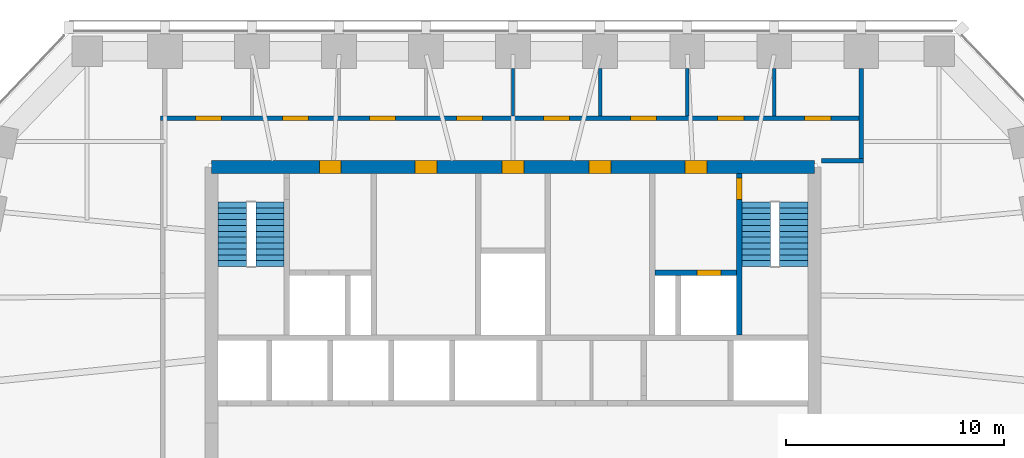
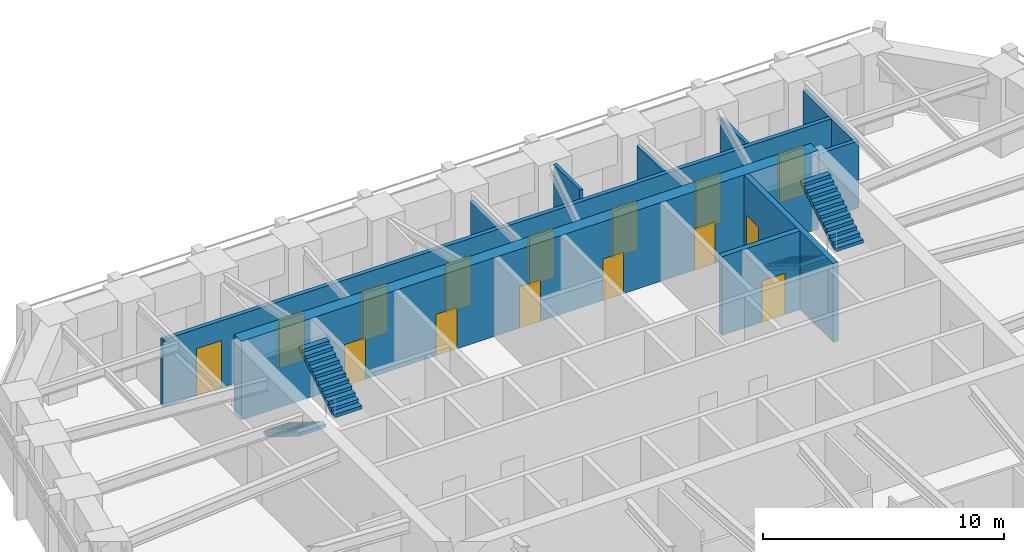
# One storey, part 7 of 9: 15 doors, 10 walls, 4 stair flights, 15 openings, 2 elements without a shape of their own.
"""IFC4 building model written with IfcOpenShell, lengths in metres."""

import ifcopenshell
import ifcopenshell.guid

model = None  # the IFC model being written
_history = None  # IfcOwnerHistory: only IFC2X3 demands one
_inside = {}  # id of a spatial element -> (the spatial element, [elements in it])
_under = {}  # id of a project, library or spatial element -> (it, [spatial elements below it])
_declared = {}  # id of a project -> (the project, [libraries it declares])
_typed = {}  # id of a type object -> (the type object, [elements of that type])
_made_of = {}  # id of a material, layer set ... -> (it, [elements and type objects made of it])


def new_model(schema):
    """Start an empty IFC model of exactly this schema.

    Asked for "IFC4X3", IfcOpenShell would pick the latest addendum, in which some entities
    have other attributes; the version numbers below select the first issue.
    IFC2X3 requires an IfcOwnerHistory on every rooted entity: one is made here for all.
    """
    global model, _history
    if schema == "IFC4X3":
        model = ifcopenshell.file(schema_version=(4, 3, 0, 0))
    else:
        model = ifcopenshell.file(schema=schema)
    _inside.clear()
    _under.clear()
    _declared.clear()
    _typed.clear()
    _made_of.clear()
    _history = None
    if model.schema == "IFC2X3":
        org = make("IfcOrganization", Name="unknown")
        user = make(
            "IfcPersonAndOrganization",
            ThePerson=make("IfcPerson", FamilyName="unknown"),
            TheOrganization=org,
        )
        app = make(
            "IfcApplication",
            ApplicationDeveloper=org,
            Version="unknown",
            ApplicationFullName="unknown",
            ApplicationIdentifier="unknown",
        )
        _history = make(
            "IfcOwnerHistory",
            OwningUser=user,
            OwningApplication=app,
            ChangeAction="ADDED",
            CreationDate=0,
        )
    return model


def make(cls, **values):
    """One entity of the class cls with the attributes given. An attribute that is None is left unset."""
    return model.create_entity(
        cls, **{name: value for name, value in values.items() if value is not None}
    )


def rooted(cls, **values):
    """An entity with a GlobalId (a new one), such as an element, a storey or a relation."""
    return make(cls, GlobalId=ifcopenshell.guid.new(), OwnerHistory=_history, **values)


def si_unit(unit_type, name, prefix=None):
    """IfcSIUnit, for example si_unit("LENGTHUNIT", "METRE", prefix="MILLI")."""
    return make("IfcSIUnit", UnitType=unit_type, Prefix=prefix, Name=name)


def assignment(units):
    """IfcUnitAssignment: the units of a project."""
    return None if units is None else make("IfcUnitAssignment", Units=units)


def point(xyz):
    """IfcCartesianPoint."""
    return None if xyz is None else make("IfcCartesianPoint", Coordinates=xyz)


def direction(xyz):
    """IfcDirection."""
    return None if xyz is None else make("IfcDirection", DirectionRatios=xyz)


def frame(location, z_axis=None, x_axis=None):
    """IfcAxis2Placement3D, a coordinate frame: its origin and axes. An axis left out is left unset."""
    return make(
        "IfcAxis2Placement3D",
        Location=point(location),
        Axis=direction(z_axis),
        RefDirection=direction(x_axis),
    )


def frame_2d(location, x_axis=None):
    """IfcAxis2Placement2D, a coordinate frame in the plane: its origin and x axis."""
    return make(
        "IfcAxis2Placement2D", Location=point(location), RefDirection=direction(x_axis)
    )


def origin():
    """The frame at (0, 0, 0) with its axes left unset."""
    return frame((0.0, 0.0, 0.0))


def place(relative_to, where):
    """IfcLocalPlacement: puts the frame where relative to a parent placement (None: the world)."""
    return make(
        "IfcLocalPlacement", PlacementRelTo=relative_to, RelativePlacement=where
    )


def context(
    kind, dimensions, precision=None, world=None, true_north=None, identifier=None
):
    """IfcGeometricRepresentationContext, for example the 3D "Model" context."""
    return make(
        "IfcGeometricRepresentationContext",
        ContextIdentifier=identifier,
        ContextType=kind,
        CoordinateSpaceDimension=dimensions,
        Precision=precision,
        WorldCoordinateSystem=world,
        TrueNorth=true_north,
    )


def subcontext(parent, identifier, kind, view, scale=None):
    """IfcGeometricRepresentationSubContext, for example "Body" below "Model"."""
    return make(
        "IfcGeometricRepresentationSubContext",
        ContextIdentifier=identifier,
        ContextType=kind,
        ParentContext=parent,
        TargetScale=scale,
        TargetView=view,
    )


def project(units=None, contexts=None):
    """IfcProject with its units and contexts."""
    return rooted(
        "IfcProject",
        Name="project",
        RepresentationContexts=contexts,
        UnitsInContext=assignment(units),
    )


def spatial(cls, under=None, at=None, **own):
    """A site, building, storey or space (cls), placed at a placement, below another one or the project."""
    s = rooted(cls, ObjectPlacement=at, **own)
    if under is not None:
        _under.setdefault(under.id(), (under, []))[1].append(s)
    return s


def polyline(points):
    """IfcPolyline through the points."""
    return make("IfcPolyline", Points=[point(p) for p in points])


def profile(cls, at=None, kind="AREA", **sizes):
    """A parametric profile (cls). Its sizes go by their IFC names, for example OverallWidth=200.0."""
    return make(cls, ProfileType=kind, Position=at, **sizes)


def rectangle(**sizes):
    """IfcRectangleProfileDef."""
    return profile("IfcRectangleProfileDef", **sizes)


def outline(outer, holes=None, kind="AREA"):
    """IfcArbitraryClosedProfileDef: a profile drawn as a closed curve; with holes, ...WithVoids."""
    if holes is None:
        return make("IfcArbitraryClosedProfileDef", ProfileType=kind, OuterCurve=outer)
    return make(
        "IfcArbitraryProfileDefWithVoids",
        ProfileType=kind,
        OuterCurve=outer,
        InnerCurves=holes,
    )


def extrude(swept, where, along, depth):
    """IfcExtrudedAreaSolid: the profile swept, set in the frame where, extruded along a direction by depth."""
    return make(
        "IfcExtrudedAreaSolid",
        SweptArea=swept,
        Position=where,
        ExtrudedDirection=direction(along),
        Depth=depth,
    )


def shape(context_of_items, identifier, shape_type, items):
    """IfcShapeRepresentation: the items that make up one representation, for example the "Body"."""
    return make(
        "IfcShapeRepresentation",
        ContextOfItems=context_of_items,
        RepresentationIdentifier=identifier,
        RepresentationType=shape_type,
        Items=items,
    )


def material(Name=None, Category=None):
    """IfcMaterial."""
    return make("IfcMaterial", Name=Name, Category=Category)


def layer(
    of_material, thickness, ventilated=None, Name=None, Category=None, Priority=None
):
    """IfcMaterialLayer: one layer of a wall or slab, of a material (None: an air gap)."""
    return make(
        "IfcMaterialLayer",
        Material=of_material,
        LayerThickness=thickness,
        IsVentilated=ventilated,
        Name=Name,
        Category=Category,
        Priority=Priority,
    )


def layer_set(layers, Name=None):
    """IfcMaterialLayerSet."""
    return make("IfcMaterialLayerSet", MaterialLayers=layers, LayerSetName=Name)


def made_of(thing, what):
    """Note that an element or type object is made of a material, layer set ...; save() writes the relation."""
    if what is not None:
        _made_of.setdefault(what.id(), (what, []))[1].append(thing)
    return thing


def type_object(cls, material=None, **own):
    """A type object (cls), such as IfcWallType, which elements share."""
    return made_of(rooted(cls, **own), material)


def element(
    cls,
    number,
    at=None,
    inside=None,
    cuts=None,
    type_object=None,
    material=None,
    context=None,
    identifier="Body",
    shape_type=None,
    held_by="IfcProductDefinitionShape",
    body=None,
    shapes=None,
    **own,
):
    """One element of the class cls, such as IfcWall. Its Tag is "e" and its number.

    at: its placement. inside: the storey or other place that contains it. cuts: it is an
    opening in that element (IfcRelVoidsElement). A single representation is given by context,
    identifier, shape_type and body (its items); several are given by shapes. held_by: the class
    of the entity that holds the representations. save() writes the other relations.
    """
    e = rooted(cls, Tag="e%d" % number, ObjectPlacement=at, **own)
    if body is not None:
        shapes = [shape(context, identifier, shape_type, body)]
    if shapes is not None:
        e.Representation = make(held_by, Representations=shapes)
    if inside is not None:
        _inside.setdefault(inside.id(), (inside, []))[1].append(e)
    if cuts is not None:
        rooted(
            "IfcRelVoidsElement", RelatingBuildingElement=cuts, RelatedOpeningElement=e
        )
    if type_object is not None:
        _typed.setdefault(type_object.id(), (type_object, []))[1].append(e)
    return made_of(e, material)


def fill(opening, filler):
    """IfcRelFillsElement: the door or window that sits in an opening."""
    return rooted(
        "IfcRelFillsElement",
        RelatingOpeningElement=opening,
        RelatedBuildingElement=filler,
    )


def aggregate(whole, parts):
    """IfcRelAggregates: a whole, such as a stair, and the parts it consists of."""
    return rooted("IfcRelAggregates", RelatingObject=whole, RelatedObjects=parts)


def save(model, path):
    """Write the relations noted so far, then the file.

    IfcRelAggregates (storeys below a building ...), IfcRelContainedInSpatialStructure (elements
    in a storey), IfcRelDefinesByType, IfcRelAssociatesMaterial and IfcRelDeclares: one each for
    every whole, place, type object, material and project.
    """
    for whole, parts in _under.values():
        aggregate(whole, parts)
    for where, things in _inside.values():
        rooted(
            "IfcRelContainedInSpatialStructure",
            RelatedElements=things,
            RelatingStructure=where,
        )
    for kind, things in _typed.values():
        rooted("IfcRelDefinesByType", RelatedObjects=things, RelatingType=kind)
    for what, things in _made_of.values():
        rooted("IfcRelAssociatesMaterial", RelatedObjects=things, RelatingMaterial=what)
    for by, libraries in _declared.values():
        rooted("IfcRelDeclares", RelatingContext=by, RelatedDefinitions=libraries)
    model.write(path)


model = new_model("IFC4")

# Units and contexts
model_context = context("Model", 3, precision=1e-05, world=origin(), true_north=direction((0.0, 1.0)))
body_context = subcontext(model_context, "Body", "Model", "MODEL_VIEW")
ifc_project = project(units=[si_unit("LENGTHUNIT", "METRE"), si_unit("AREAUNIT", "SQUARE_METRE"), si_unit("VOLUMEUNIT", "CUBIC_METRE"), si_unit("PLANEANGLEUNIT", "RADIAN"), si_unit("MASSUNIT", "GRAM", prefix="KILO")], contexts=[model_context])

# Site, building, storey
site_placement = place(None, origin())
site = spatial("IfcSite", under=ifc_project, at=site_placement, CompositionType="ELEMENT")
building_placement = place(site_placement, origin())
building = spatial("IfcBuilding", under=site, at=building_placement, Name="Isbrekke Arena Tower", CompositionType="ELEMENT")
storey_placement = place(building_placement, frame((0.0, 0.0, 178.0)))
storey = spatial("IfcBuildingStorey", under=building, at=storey_placement, Name="L40", CompositionType="ELEMENT", Elevation=178.0)

# Wall, openings, doors
ifc_material_1 = material(Name="Concrete B55 (C55/67)", Category="concrete")
ifc_layer_1 = layer(ifc_material_1, 0.60009765625)
ifc_layer_set_1 = layer_set([ifc_layer_1], Name="CW4 CORE WALL 600")
wall_type_1 = type_object("IfcWallType", Name="CW4 CORE WALL 600", PredefinedType="SHEAR", material=ifc_layer_set_1)
wall_1_placement = place(storey_placement, frame((13.85009765625, 23.85009765625, 0.0), z_axis=(0.0, 0.0, 1.0), x_axis=(-1.0, 0.0, 0.0)))
wall_1 = element("IfcWall", 1, at=wall_1_placement, inside=storey, type_object=wall_type_1, Name="Core wall N L40", PredefinedType="SHEAR", context=body_context, shape_type="SweptSolid", body=[
    extrude(rectangle(XDim=27.7001953125, YDim=0.60009765625, at=frame_2d((13.85009765625, 0.0))), origin(), (0.0, 0.0, 1.0), 4.0),
])
opening_1_placement = place(wall_1_placement, frame((21.75, 0.0, 0.0)))
opening_1 = element("IfcOpeningElement", 2, at=opening_1_placement, cuts=wall_1, Name="Opening D3", PredefinedType="OPENING", context=body_context, shape_type="SweptSolid", body=[
    extrude(rectangle(XDim=1.0, YDim=2.10009765625, at=frame_2d((0.5, 1.050048828125))), frame((0.0, 0.31494140625, 0.0), z_axis=(0.0, -1.0, 0.0), x_axis=(1.0, 0.0, 0.0)), (0.0, 0.0, 1.0), 0.6298828125),
])
opening_2_placement = place(wall_1_placement, frame((4.949951171875, 0.0, 0.0)))
opening_2 = element("IfcOpeningElement", 3, at=opening_2_placement, cuts=wall_1, Name="Opening D3", PredefinedType="OPENING", context=body_context, shape_type="SweptSolid", body=[
    extrude(rectangle(XDim=1.0, YDim=2.10009765625, at=frame_2d((0.5, 1.050048828125))), frame((0.0, 0.31494140625, 0.0), z_axis=(0.0, -1.0, 0.0), x_axis=(1.0, 0.0, 0.0)), (0.0, 0.0, 1.0), 0.6298828125),
])
opening_3_placement = place(wall_1_placement, frame((17.35009765625, 0.0, 0.0)))
opening_3 = element("IfcOpeningElement", 4, at=opening_3_placement, cuts=wall_1, Name="Opening D4", PredefinedType="OPENING", context=body_context, shape_type="SweptSolid", body=[
    extrude(rectangle(XDim=1.0, YDim=2.10009765625, at=frame_2d((0.5, 1.050048828125))), frame((0.0, 0.31494140625, 0.0), z_axis=(0.0, -1.0, 0.0), x_axis=(1.0, 0.0, 0.0)), (0.0, 0.0, 1.0), 0.6298828125),
])
opening_4_placement = place(wall_1_placement, frame((13.35009765625, 0.0, 0.0)))
opening_4 = element("IfcOpeningElement", 5, at=opening_4_placement, cuts=wall_1, Name="Opening D4", PredefinedType="OPENING", context=body_context, shape_type="SweptSolid", body=[
    extrude(rectangle(XDim=1.0, YDim=2.10009765625, at=frame_2d((0.5, 1.050048828125))), frame((0.0, 0.31494140625, 0.0), z_axis=(0.0, -1.0, 0.0), x_axis=(1.0, 0.0, 0.0)), (0.0, 0.0, 1.0), 0.6298828125),
])
opening_5_placement = place(wall_1_placement, frame((9.35009765625, 0.0, 0.0)))
opening_5 = element("IfcOpeningElement", 6, at=opening_5_placement, cuts=wall_1, Name="Opening D4", PredefinedType="OPENING", context=body_context, shape_type="SweptSolid", body=[
    extrude(rectangle(XDim=1.0, YDim=2.10009765625, at=frame_2d((0.5, 1.050048828125))), frame((0.0, 0.31494140625, 0.0), z_axis=(0.0, -1.0, 0.0), x_axis=(1.0, 0.0, 0.0)), (0.0, 0.0, 1.0), 0.6298828125),
])
ifc_material_2 = material(Name="Steel fire door", Category="steel")
door_type_1 = type_object("IfcDoorType", Name="D3 FIRE LOBBY DOOR 1000 x 2100", OperationType="SINGLE_SWING_RIGHT", PredefinedType="DOOR", material=ifc_material_2)
door_1_placement = place(opening_1_placement, origin())
door_1 = element("IfcDoor", 7, at=door_1_placement, inside=storey, type_object=door_type_1, Name="D3 fire-fighting lobby door L40", OperationType="SINGLE_SWING_RIGHT", OverallHeight=2.10009765625, OverallWidth=1.0, PredefinedType="DOOR", context=body_context, shape_type="SweptSolid", body=[
    extrude(rectangle(XDim=1.0, YDim=2.10009765625, at=frame_2d((0.5, 1.050048828125))), frame((0.0, 0.2998046875, 0.0), z_axis=(0.0, -1.0, 0.0), x_axis=(1.0, 0.0, 0.0)), (0.0, 0.0, 1.0), 0.599609375),
])
fill(opening_1, door_1)
door_2_placement = place(opening_2_placement, origin())
door_2 = element("IfcDoor", 8, at=door_2_placement, inside=storey, type_object=door_type_1, Name="D3 fire-fighting lobby door L40", OperationType="SINGLE_SWING_RIGHT", OverallHeight=2.10009765625, OverallWidth=1.0, PredefinedType="DOOR", context=body_context, shape_type="SweptSolid", body=[
    extrude(rectangle(XDim=1.0, YDim=2.10009765625, at=frame_2d((0.5, 1.050048828125))), frame((0.0, 0.2998046875, 0.0), z_axis=(0.0, -1.0, 0.0), x_axis=(1.0, 0.0, 0.0)), (0.0, 0.0, 1.0), 0.599609375),
])
fill(opening_2, door_2)
ifc_material_3 = material(Name="Timber door", Category="wood")
door_type_2 = type_object("IfcDoorType", Name="D4 WC DOOR 1000 x 2100", OperationType="SINGLE_SWING_LEFT", PredefinedType="DOOR", material=ifc_material_3)
door_3_placement = place(opening_3_placement, origin())
door_3 = element("IfcDoor", 9, at=door_3_placement, inside=storey, type_object=door_type_2, Name="D4 wc female door L40", OperationType="SINGLE_SWING_LEFT", OverallHeight=2.10009765625, OverallWidth=1.0, PredefinedType="DOOR", context=body_context, shape_type="SweptSolid", body=[
    extrude(rectangle(XDim=1.0, YDim=2.10009765625, at=frame_2d((0.5, 1.050048828125))), frame((0.0, 0.2998046875, 0.0), z_axis=(0.0, -1.0, 0.0), x_axis=(1.0, 0.0, 0.0)), (0.0, 0.0, 1.0), 0.599609375),
])
fill(opening_3, door_3)
door_4_placement = place(opening_4_placement, origin())
door_4 = element("IfcDoor", 10, at=door_4_placement, inside=storey, type_object=door_type_2, Name="D4 accessible wc door L40", OperationType="SINGLE_SWING_LEFT", OverallHeight=2.10009765625, OverallWidth=1.0, PredefinedType="DOOR", context=body_context, shape_type="SweptSolid", body=[
    extrude(rectangle(XDim=1.0, YDim=2.10009765625, at=frame_2d((0.5, 1.050048828125))), frame((0.0, 0.2998046875, 0.0), z_axis=(0.0, -1.0, 0.0), x_axis=(1.0, 0.0, 0.0)), (0.0, 0.0, 1.0), 0.599609375),
])
fill(opening_4, door_4)
door_5_placement = place(opening_5_placement, origin())
door_5 = element("IfcDoor", 11, at=door_5_placement, inside=storey, type_object=door_type_2, Name="D4 wc male door L40", OperationType="SINGLE_SWING_LEFT", OverallHeight=2.10009765625, OverallWidth=1.0, PredefinedType="DOOR", context=body_context, shape_type="SweptSolid", body=[
    extrude(rectangle(XDim=1.0, YDim=2.10009765625, at=frame_2d((0.5, 1.050048828125))), frame((0.0, 0.2998046875, 0.0), z_axis=(0.0, -1.0, 0.0), x_axis=(1.0, 0.0, 0.0)), (0.0, 0.0, 1.0), 0.599609375),
])
fill(opening_5, door_5)

# Wall, opening, door
ifc_material_4 = material(Name="Concrete B45 (C45/55)", Category="concrete")
ifc_layer_2 = layer(ifc_material_4, 0.25)
ifc_layer_set_2 = layer_set([ifc_layer_2], Name="CW6 SHAFT WALL 250")
wall_type_2 = type_object("IfcWallType", Name="CW6 SHAFT WALL 250", PredefinedType="SHEAR", material=ifc_layer_set_2)
wall_2_placement = place(storey_placement, frame((10.39990234375, 16.125, 0.0), z_axis=(0.0, 0.0, 1.0), x_axis=(0.0, 1.0, 0.0)))
wall_2 = element("IfcWall", 12, at=wall_2_placement, inside=storey, type_object=wall_type_2, Name="Core wall NV06 L40", PredefinedType="SHEAR", context=body_context, shape_type="SweptSolid", body=[
    extrude(rectangle(XDim=7.425048828125, YDim=0.25, at=frame_2d((3.71240234375, 0.0))), origin(), (0.0, 0.0, 1.0), 4.0),
])
opening_6_placement = place(wall_2_placement, frame((6.22509765625, 0.0, 0.0)))
opening_6 = element("IfcOpeningElement", 13, at=opening_6_placement, cuts=wall_2, Name="Opening D2", PredefinedType="OPENING", context=body_context, shape_type="SweptSolid", body=[
    extrude(rectangle(XDim=1.0, YDim=2.10009765625, at=frame_2d((0.5, 1.050048828125))), frame((0.0, 0.139892578125, 0.0), z_axis=(0.0, -1.0, 0.0), x_axis=(1.0, 0.0, 0.0)), (0.0, 0.0, 1.0), 0.27978515625),
])
ifc_material_5 = material(Name="Steel fire door", Category="steel")
door_type_3 = type_object("IfcDoorType", Name="D2 STAIR DOOR 1000 x 2100", OperationType="SINGLE_SWING_LEFT", PredefinedType="DOOR", material=ifc_material_5)
door_6_placement = place(opening_6_placement, origin())
door_6 = element("IfcDoor", 14, at=door_6_placement, inside=storey, type_object=door_type_3, Name="D2 stair door ST2 L40", OperationType="SINGLE_SWING_LEFT", OverallHeight=2.10009765625, OverallWidth=1.0, PredefinedType="DOOR", context=body_context, shape_type="SweptSolid", body=[
    extrude(rectangle(XDim=1.0, YDim=2.10009765625, at=frame_2d((0.5, 1.050048828125))), frame((0.0, 0.124755859375, 0.0), z_axis=(0.0, -1.0, 0.0), x_axis=(1.0, 0.0, 0.0)), (0.0, 0.0, 1.0), 0.24951171875),
])
fill(opening_6, door_6)

wall_3_placement = place(storey_placement, frame((6.52490234375, 19.0, 0.0), z_axis=(0.0, 0.0, 1.0), x_axis=(1.0, 0.0, 0.0)))
wall_3 = element("IfcWall", 15, at=wall_3_placement, inside=storey, type_object=wall_type_2, Name="Core wall NFE L40", PredefinedType="SHEAR", context=body_context, shape_type="SweptSolid", body=[
    extrude(rectangle(XDim=3.75, YDim=0.25, at=frame_2d((1.875, 0.0))), origin(), (0.0, 0.0, 1.0), 4.0),
])
opening_7_placement = place(wall_3_placement, frame((1.925048828125, 0.0, 0.0)))
opening_7 = element("IfcOpeningElement", 16, at=opening_7_placement, cuts=wall_3, Name="Opening LD2", PredefinedType="OPENING", context=body_context, shape_type="SweptSolid", body=[
    extrude(rectangle(XDim=1.10009765625, YDim=2.10009765625, at=frame_2d((0.550048828125, 1.050048828125))), frame((0.0, 0.139892578125, 0.0), z_axis=(0.0, -1.0, 0.0), x_axis=(1.0, 0.0, 0.0)), (0.0, 0.0, 1.0), 0.27978515625),
])
ifc_material_6 = material(Name="Stainless steel lift landing door", Category="steel")
door_type_4 = type_object("IfcDoorType", Name="LD2 FIRE-FIGHTING LIFT LANDING DOOR 1100 x 2100", OperationType="SLIDING_TO_RIGHT", PredefinedType="DOOR", material=ifc_material_6)
door_7_placement = place(opening_7_placement, origin())
door_7 = element("IfcDoor", 17, at=door_7_placement, inside=storey, type_object=door_type_4, Name="LD2 lift landing door LF L40", OperationType="SLIDING_TO_RIGHT", OverallHeight=2.10009765625, OverallWidth=1.10009765625, PredefinedType="DOOR", context=body_context, shape_type="SweptSolid", body=[
    extrude(rectangle(XDim=1.10009765625, YDim=2.10009765625, at=frame_2d((0.550048828125, 1.050048828125))), frame((0.0, 0.124755859375, 0.0), z_axis=(0.0, -1.0, 0.0), x_axis=(1.0, 0.0, 0.0)), (0.0, 0.0, 1.0), 0.24951171875),
])
fill(opening_7, door_7)

# Walls
ifc_material_7 = material(Name="Gypsum board partition on steel studs", Category="steel")
ifc_layer_3 = layer(ifc_material_7, 0.14990234375)
ifc_layer_set_3 = layer_set([ifc_layer_3], Name="IW1 PARTITION 150")
wall_type_3 = type_object("IfcWallType", Name="IW1 PARTITION 150", PredefinedType="PARTITIONING", material=ifc_layer_set_3)
wall_4_placement = place(storey_placement, frame((0.0, 26.199951171875, 0.0), z_axis=(0.0, 0.0, 1.0), x_axis=(0.0, 1.0, 0.0)))
element("IfcWall", 18, at=wall_4_placement, inside=storey, type_object=wall_type_3, Name="IW1 partition 150 L40", PredefinedType="PARTITIONING", context=body_context, shape_type="SweptSolid", body=[
    extrude(rectangle(XDim=2.175048828125, YDim=0.14990234375, at=frame_2d((1.08740234375, 0.0))), origin(), (0.0, 0.0, 1.0), 3.39990234375),
])
wall_5_placement = place(storey_placement, frame((4.0, 26.199951171875, 0.0), z_axis=(0.0, 0.0, 1.0), x_axis=(0.0, 1.0, 0.0)))
element("IfcWall", 19, at=wall_5_placement, inside=storey, type_object=wall_type_3, Name="IW1 partition 150 L40", PredefinedType="PARTITIONING", context=body_context, shape_type="SweptSolid", body=[
    extrude(rectangle(XDim=2.175048828125, YDim=0.14990234375, at=frame_2d((1.08740234375, 0.0))), origin(), (0.0, 0.0, 1.0), 3.85009765625),
])
for number, where, z_axis, x_axis, name in (
    (20, (8.0, 26.199951171875, 0.0), (0.0, 0.0, 1.0), (0.0, 1.0, 0.0), "IW1 partition 150 L40"),
    (21, (12.0, 26.199951171875, 0.0), (0.0, 0.0, 1.0), (0.0, 1.0, 0.0), "IW1 partition 150 L40"),
):
    element("IfcWall", number, at=place(storey_placement, frame(where, z_axis=z_axis, x_axis=x_axis)), inside=storey, type_object=wall_type_3, Name=name, PredefinedType="PARTITIONING", context=body_context, shape_type="SweptSolid", body=[
        extrude(rectangle(XDim=2.175048828125, YDim=0.14990234375, at=frame_2d((1.08740234375, 0.0))), origin(), (0.0, 0.0, 1.0), 3.39990234375),
    ])
ifc_material_8 = material(Name="Gypsum board fire-cell wall on steel studs, two layers each side", Category="steel")
ifc_layer_4 = layer(ifc_material_8, 0.199951171875)
ifc_layer_set_4 = layer_set([ifc_layer_4], Name="IW3 FIRE-CELL WALL 200")
wall_type_4 = type_object("IfcWallType", Name="IW3 FIRE-CELL WALL 200", PredefinedType="PARTITIONING", material=ifc_layer_set_4)
wall_6_placement = place(storey_placement, frame((14.179931640625, 24.14990234375, 0.0), z_axis=(0.0, 0.0, 1.0), x_axis=(1.0, 0.0, 0.0)))
element("IfcWall", 22, at=wall_6_placement, inside=storey, type_object=wall_type_4, Name="IW3 fire-cell wall 200 L40", PredefinedType="PARTITIONING", context=body_context, shape_type="SweptSolid", body=[
    extrude(rectangle(XDim=1.920166015625, YDim=0.199951171875, at=frame_2d((0.9599609375, 0.0))), origin(), (0.0, 0.0, 1.0), 3.39990234375),
])

# Wall, openings, doors
wall_7_placement = place(storey_placement, frame((-16.199951171875, 26.10009765625, 0.0), z_axis=(0.0, 0.0, 1.0), x_axis=(1.0, 0.0, 0.0)))
wall_7 = element("IfcWall", 23, at=wall_7_placement, inside=storey, type_object=wall_type_4, Name="IW3 fire-cell wall 200 L40", PredefinedType="PARTITIONING", context=body_context, shape_type="SweptSolid", body=[
    extrude(rectangle(XDim=32.099853515625, YDim=0.199951171875, at=frame_2d((16.0498046875, 0.0))), origin(), (0.0, 0.0, 1.0), 3.39990234375),
])
opening_8_placement = place(wall_7_placement, frame((1.60009765625, 0.0, 0.0)))
opening_8 = element("IfcOpeningElement", 24, at=opening_8_placement, cuts=wall_7, Name="Opening D12", PredefinedType="OPENING", context=body_context, shape_type="SweptSolid", body=[
    extrude(rectangle(XDim=1.199951171875, YDim=2.39990234375, at=frame_2d((0.60009765625, 1.199951171875))), frame((0.0, 0.11474609375, 0.0), z_axis=(0.0, -1.0, 0.0), x_axis=(1.0, 0.0, 0.0)), (0.0, 0.0, 1.0), 0.229736328125),
])
opening_9_placement = place(wall_7_placement, frame((5.60009765625, 0.0, 0.0)))
opening_9 = element("IfcOpeningElement", 25, at=opening_9_placement, cuts=wall_7, Name="Opening D12", PredefinedType="OPENING", context=body_context, shape_type="SweptSolid", body=[
    extrude(rectangle(XDim=1.199951171875, YDim=2.39990234375, at=frame_2d((0.60009765625, 1.199951171875))), frame((0.0, 0.11474609375, 0.0), z_axis=(0.0, -1.0, 0.0), x_axis=(1.0, 0.0, 0.0)), (0.0, 0.0, 1.0), 0.229736328125),
])
opening_10_placement = place(wall_7_placement, frame((9.60009765625, 0.0, 0.0)))
opening_10 = element("IfcOpeningElement", 26, at=opening_10_placement, cuts=wall_7, Name="Opening D12", PredefinedType="OPENING", context=body_context, shape_type="SweptSolid", body=[
    extrude(rectangle(XDim=1.199951171875, YDim=2.39990234375, at=frame_2d((0.60009765625, 1.199951171875))), frame((0.0, 0.11474609375, 0.0), z_axis=(0.0, -1.0, 0.0), x_axis=(1.0, 0.0, 0.0)), (0.0, 0.0, 1.0), 0.229736328125),
])
opening_11_placement = place(wall_7_placement, frame((13.60009765625, 0.0, 0.0)))
opening_11 = element("IfcOpeningElement", 27, at=opening_11_placement, cuts=wall_7, Name="Opening D12", PredefinedType="OPENING", context=body_context, shape_type="SweptSolid", body=[
    extrude(rectangle(XDim=1.199951171875, YDim=2.39990234375, at=frame_2d((0.60009765625, 1.199951171875))), frame((0.0, 0.11474609375, 0.0), z_axis=(0.0, -1.0, 0.0), x_axis=(1.0, 0.0, 0.0)), (0.0, 0.0, 1.0), 0.229736328125),
])
opening_12_placement = place(wall_7_placement, frame((17.60009765625, 0.0, 0.0)))
opening_12 = element("IfcOpeningElement", 28, at=opening_12_placement, cuts=wall_7, Name="Opening D12", PredefinedType="OPENING", context=body_context, shape_type="SweptSolid", body=[
    extrude(rectangle(XDim=1.199951171875, YDim=2.39990234375, at=frame_2d((0.60009765625, 1.199951171875))), frame((0.0, 0.11474609375, 0.0), z_axis=(0.0, -1.0, 0.0), x_axis=(1.0, 0.0, 0.0)), (0.0, 0.0, 1.0), 0.229736328125),
])
opening_13_placement = place(wall_7_placement, frame((21.60009765625, 0.0, 0.0)))
opening_13 = element("IfcOpeningElement", 29, at=opening_13_placement, cuts=wall_7, Name="Opening D12", PredefinedType="OPENING", context=body_context, shape_type="SweptSolid", body=[
    extrude(rectangle(XDim=1.199951171875, YDim=2.39990234375, at=frame_2d((0.60009765625, 1.199951171875))), frame((0.0, 0.11474609375, 0.0), z_axis=(0.0, -1.0, 0.0), x_axis=(1.0, 0.0, 0.0)), (0.0, 0.0, 1.0), 0.229736328125),
])
opening_14_placement = place(wall_7_placement, frame((25.60009765625, 0.0, 0.0)))
opening_14 = element("IfcOpeningElement", 30, at=opening_14_placement, cuts=wall_7, Name="Opening D12", PredefinedType="OPENING", context=body_context, shape_type="SweptSolid", body=[
    extrude(rectangle(XDim=1.199951171875, YDim=2.39990234375, at=frame_2d((0.60009765625, 1.199951171875))), frame((0.0, 0.11474609375, 0.0), z_axis=(0.0, -1.0, 0.0), x_axis=(1.0, 0.0, 0.0)), (0.0, 0.0, 1.0), 0.229736328125),
])
opening_15_placement = place(wall_7_placement, frame((29.60009765625, 0.0, 0.0)))
opening_15 = element("IfcOpeningElement", 31, at=opening_15_placement, cuts=wall_7, Name="Opening D12", PredefinedType="OPENING", context=body_context, shape_type="SweptSolid", body=[
    extrude(rectangle(XDim=1.199951171875, YDim=2.39990234375, at=frame_2d((0.60009765625, 1.199951171875))), frame((0.0, 0.11474609375, 0.0), z_axis=(0.0, -1.0, 0.0), x_axis=(1.0, 0.0, 0.0)), (0.0, 0.0, 1.0), 0.229736328125),
])
ifc_material_9 = material(Name="Timber fire door with vision panel", Category="wood")
door_type_5 = type_object("IfcDoorType", Name="D12 SUITE ENTRANCE DOOR 1200 x 2400", OperationType="SINGLE_SWING_LEFT", PredefinedType="DOOR", material=ifc_material_9)
door_8_placement = place(opening_8_placement, origin())
door_8 = element("IfcDoor", 32, at=door_8_placement, inside=storey, type_object=door_type_5, Name="D12 office door L40", OperationType="SINGLE_SWING_LEFT", OverallHeight=2.39990234375, OverallWidth=1.199951171875, PredefinedType="DOOR", context=body_context, shape_type="SweptSolid", body=[
    extrude(rectangle(XDim=1.199951171875, YDim=2.39990234375, at=frame_2d((0.60009765625, 1.199951171875))), frame((0.0, 0.099609375, 0.0), z_axis=(0.0, -1.0, 0.0), x_axis=(1.0, 0.0, 0.0)), (0.0, 0.0, 1.0), 0.199462890625),
])
fill(opening_8, door_8)
door_9_placement = place(opening_9_placement, origin())
door_9 = element("IfcDoor", 33, at=door_9_placement, inside=storey, type_object=door_type_5, Name="D12 office door L40", OperationType="SINGLE_SWING_LEFT", OverallHeight=2.39990234375, OverallWidth=1.199951171875, PredefinedType="DOOR", context=body_context, shape_type="SweptSolid", body=[
    extrude(rectangle(XDim=1.199951171875, YDim=2.39990234375, at=frame_2d((0.60009765625, 1.199951171875))), frame((0.0, 0.099609375, 0.0), z_axis=(0.0, -1.0, 0.0), x_axis=(1.0, 0.0, 0.0)), (0.0, 0.0, 1.0), 0.199462890625),
])
fill(opening_9, door_9)
door_10_placement = place(opening_10_placement, origin())
door_10 = element("IfcDoor", 34, at=door_10_placement, inside=storey, type_object=door_type_5, Name="D12 office door L40", OperationType="SINGLE_SWING_LEFT", OverallHeight=2.39990234375, OverallWidth=1.199951171875, PredefinedType="DOOR", context=body_context, shape_type="SweptSolid", body=[
    extrude(rectangle(XDim=1.199951171875, YDim=2.39990234375, at=frame_2d((0.60009765625, 1.199951171875))), frame((0.0, 0.099609375, 0.0), z_axis=(0.0, -1.0, 0.0), x_axis=(1.0, 0.0, 0.0)), (0.0, 0.0, 1.0), 0.199462890625),
])
fill(opening_10, door_10)
door_11_placement = place(opening_11_placement, origin())
door_11 = element("IfcDoor", 35, at=door_11_placement, inside=storey, type_object=door_type_5, Name="D12 office door L40", OperationType="SINGLE_SWING_LEFT", OverallHeight=2.39990234375, OverallWidth=1.199951171875, PredefinedType="DOOR", context=body_context, shape_type="SweptSolid", body=[
    extrude(rectangle(XDim=1.199951171875, YDim=2.39990234375, at=frame_2d((0.60009765625, 1.199951171875))), frame((0.0, 0.099609375, 0.0), z_axis=(0.0, -1.0, 0.0), x_axis=(1.0, 0.0, 0.0)), (0.0, 0.0, 1.0), 0.199462890625),
])
fill(opening_11, door_11)
door_12_placement = place(opening_12_placement, origin())
door_12 = element("IfcDoor", 36, at=door_12_placement, inside=storey, type_object=door_type_5, Name="D12 office door L40", OperationType="SINGLE_SWING_LEFT", OverallHeight=2.39990234375, OverallWidth=1.199951171875, PredefinedType="DOOR", context=body_context, shape_type="SweptSolid", body=[
    extrude(rectangle(XDim=1.199951171875, YDim=2.39990234375, at=frame_2d((0.60009765625, 1.199951171875))), frame((0.0, 0.099609375, 0.0), z_axis=(0.0, -1.0, 0.0), x_axis=(1.0, 0.0, 0.0)), (0.0, 0.0, 1.0), 0.199462890625),
])
fill(opening_12, door_12)
door_13_placement = place(opening_13_placement, origin())
door_13 = element("IfcDoor", 37, at=door_13_placement, inside=storey, type_object=door_type_5, Name="D12 office door L40", OperationType="SINGLE_SWING_LEFT", OverallHeight=2.39990234375, OverallWidth=1.199951171875, PredefinedType="DOOR", context=body_context, shape_type="SweptSolid", body=[
    extrude(rectangle(XDim=1.199951171875, YDim=2.39990234375, at=frame_2d((0.60009765625, 1.199951171875))), frame((0.0, 0.099609375, 0.0), z_axis=(0.0, -1.0, 0.0), x_axis=(1.0, 0.0, 0.0)), (0.0, 0.0, 1.0), 0.199462890625),
])
fill(opening_13, door_13)
door_14_placement = place(opening_14_placement, origin())
door_14 = element("IfcDoor", 38, at=door_14_placement, inside=storey, type_object=door_type_5, Name="D12 office door L40", OperationType="SINGLE_SWING_LEFT", OverallHeight=2.39990234375, OverallWidth=1.199951171875, PredefinedType="DOOR", context=body_context, shape_type="SweptSolid", body=[
    extrude(rectangle(XDim=1.199951171875, YDim=2.39990234375, at=frame_2d((0.60009765625, 1.199951171875))), frame((0.0, 0.099609375, 0.0), z_axis=(0.0, -1.0, 0.0), x_axis=(1.0, 0.0, 0.0)), (0.0, 0.0, 1.0), 0.199462890625),
])
fill(opening_14, door_14)
door_15_placement = place(opening_15_placement, origin())
door_15 = element("IfcDoor", 39, at=door_15_placement, inside=storey, type_object=door_type_5, Name="D12 office door L40", OperationType="SINGLE_SWING_LEFT", OverallHeight=2.39990234375, OverallWidth=1.199951171875, PredefinedType="DOOR", context=body_context, shape_type="SweptSolid", body=[
    extrude(rectangle(XDim=1.199951171875, YDim=2.39990234375, at=frame_2d((0.60009765625, 1.199951171875))), frame((0.0, 0.099609375, 0.0), z_axis=(0.0, -1.0, 0.0), x_axis=(1.0, 0.0, 0.0)), (0.0, 0.0, 1.0), 0.199462890625),
])
fill(opening_15, door_15)

# Wall
wall_8_placement = place(storey_placement, frame((16.0, 24.25, 0.0), z_axis=(0.0, 0.0, 1.0), x_axis=(0.0, 1.0, 0.0)))
element("IfcWall", 40, at=wall_8_placement, inside=storey, type_object=wall_type_4, Name="IW3 fire-cell wall 200 L40", PredefinedType="PARTITIONING", context=body_context, shape_type="SweptSolid", body=[
    extrude(rectangle(XDim=4.125, YDim=0.199951171875, at=frame_2d((2.0625, 0.0))), origin(), (0.0, 0.0, 1.0), 3.39990234375),
])

# Stair, stair flights
ifc_material_10 = material(Name="Concrete B45 (C45/55) precast", Category="concrete")
stair_type = type_object("IfcStairType", Name="ST40 STAIR 1300 WIDE, 24 RISERS 167", PredefinedType="HALF_TURN_STAIR", material=ifc_material_10)
stair_1_placement = place(storey_placement, origin())
stair_1 = element("IfcStair", 41, at=stair_1_placement, inside=storey, type_object=stair_type, Name="ST1 stair L40", PredefinedType="HALF_TURN_STAIR")
ifc_material_11 = material(Name="Concrete B45 (C45/55) precast", Category="concrete")
stair_flight_type = type_object("IfcStairFlightType", Name="SF 1300 FLIGHT", PredefinedType="STRAIGHT", material=ifc_material_11)
stair_flight_1_placement = place(storey_placement, frame((-12.89990234375, 22.25, 0.0), z_axis=(0.0, 0.0, 1.0), x_axis=(0.0, -1.0, 0.0)))
stair_flight_1 = element("IfcStairFlight", 42, at=stair_flight_1_placement, type_object=stair_flight_type, Name="ST1 flight 1", NumberOfRisers=12, NumberOfTreads=11, PredefinedType="STRAIGHT", RiserHeight=0.166666667, TreadLength=0.27, context=body_context, shape_type="SweptSolid", body=[
    extrude(outline(polyline([(0.0, 0.0), (0.0, 0.166748046875), (0.27001953125, 0.166748046875), (0.27001953125, 0.333251953125), (0.5400390625, 0.333251953125), (0.5400390625, 0.5), (0.81005859375, 0.5), (0.81005859375, 0.666748046875), (1.080078125, 0.666748046875), (1.080078125, 0.833251953125), (1.35009765625, 0.833251953125), (1.35009765625, 1.0), (1.6201171875, 1.0), (1.6201171875, 1.166748046875), (1.889892578125, 1.166748046875), (1.889892578125, 1.333251953125), (2.159912109375, 1.333251953125), (2.159912109375, 1.5), (2.429931640625, 1.5), (2.429931640625, 1.666748046875), (2.699951171875, 1.666748046875), (2.699951171875, 1.833251953125), (2.969970703125, 1.833251953125), (2.969970703125, 2.0), (2.969970703125, 1.6572265625), (0.285400390625, 0.0), (0.0, 0.0)])), frame((0.0, 0.64990234375, 0.0), z_axis=(0.0, -1.0, 0.0), x_axis=(1.0, 0.0, 0.0)), (0.0, 0.0, 1.0), 1.300048828125),
])
stair_flight_2_placement = place(storey_placement, frame((-11.175048828125, 19.280029296875, 2.0), z_axis=(0.0, 0.0, 1.0), x_axis=(0.0, 1.0, 0.0)))
stair_flight_2 = element("IfcStairFlight", 43, at=stair_flight_2_placement, type_object=stair_flight_type, Name="ST1 flight 2", NumberOfRisers=12, NumberOfTreads=11, PredefinedType="STRAIGHT", RiserHeight=0.166666667, TreadLength=0.27, context=body_context, shape_type="SweptSolid", body=[
    extrude(outline(polyline([(0.0, 0.0), (0.0, 0.166748046875), (0.27001953125, 0.166748046875), (0.27001953125, 0.333251953125), (0.5400390625, 0.333251953125), (0.5400390625, 0.5), (0.81005859375, 0.5), (0.81005859375, 0.666748046875), (1.080078125, 0.666748046875), (1.080078125, 0.833251953125), (1.35009765625, 0.833251953125), (1.35009765625, 1.0), (1.6201171875, 1.0), (1.6201171875, 1.166748046875), (1.889892578125, 1.166748046875), (1.889892578125, 1.333251953125), (2.159912109375, 1.333251953125), (2.159912109375, 1.5), (2.429931640625, 1.5), (2.429931640625, 1.666748046875), (2.699951171875, 1.666748046875), (2.699951171875, 1.833251953125), (2.969970703125, 1.833251953125), (2.969970703125, 2.0), (2.969970703125, 1.6572265625), (0.285400390625, 0.0), (0.0, 0.0)])), frame((0.0, 0.64990234375, 0.0), z_axis=(0.0, -1.0, 0.0), x_axis=(1.0, 0.0, 0.0)), (0.0, 0.0, 1.0), 1.300048828125),
])
aggregate(stair_1, [stair_flight_1, stair_flight_2])

stair_2_placement = place(storey_placement, origin())
stair_2 = element("IfcStair", 44, at=stair_2_placement, inside=storey, type_object=stair_type, Name="ST2 stair L40", PredefinedType="HALF_TURN_STAIR")
stair_flight_3_placement = place(storey_placement, frame((11.175048828125, 22.25, 0.0), z_axis=(0.0, 0.0, 1.0), x_axis=(0.0, -1.0, 0.0)))
stair_flight_3 = element("IfcStairFlight", 45, at=stair_flight_3_placement, type_object=stair_flight_type, Name="ST2 flight 1", NumberOfRisers=12, NumberOfTreads=11, PredefinedType="STRAIGHT", RiserHeight=0.166666667, TreadLength=0.27, context=body_context, shape_type="SweptSolid", body=[
    extrude(outline(polyline([(0.0, 0.0), (0.0, 0.166748046875), (0.27001953125, 0.166748046875), (0.27001953125, 0.333251953125), (0.5400390625, 0.333251953125), (0.5400390625, 0.5), (0.81005859375, 0.5), (0.81005859375, 0.666748046875), (1.080078125, 0.666748046875), (1.080078125, 0.833251953125), (1.35009765625, 0.833251953125), (1.35009765625, 1.0), (1.6201171875, 1.0), (1.6201171875, 1.166748046875), (1.889892578125, 1.166748046875), (1.889892578125, 1.333251953125), (2.159912109375, 1.333251953125), (2.159912109375, 1.5), (2.429931640625, 1.5), (2.429931640625, 1.666748046875), (2.699951171875, 1.666748046875), (2.699951171875, 1.833251953125), (2.969970703125, 1.833251953125), (2.969970703125, 2.0), (2.969970703125, 1.6572265625), (0.285400390625, 0.0), (0.0, 0.0)])), frame((0.0, 0.64990234375, 0.0), z_axis=(0.0, -1.0, 0.0), x_axis=(1.0, 0.0, 0.0)), (0.0, 0.0, 1.0), 1.300048828125),
])
stair_flight_4_placement = place(storey_placement, frame((12.89990234375, 19.280029296875, 2.0), z_axis=(0.0, 0.0, 1.0), x_axis=(0.0, 1.0, 0.0)))
stair_flight_4 = element("IfcStairFlight", 46, at=stair_flight_4_placement, type_object=stair_flight_type, Name="ST2 flight 2", NumberOfRisers=12, NumberOfTreads=11, PredefinedType="STRAIGHT", RiserHeight=0.166666667, TreadLength=0.27, context=body_context, shape_type="SweptSolid", body=[
    extrude(outline(polyline([(0.0, 0.0), (0.0, 0.166748046875), (0.27001953125, 0.166748046875), (0.27001953125, 0.333251953125), (0.5400390625, 0.333251953125), (0.5400390625, 0.5), (0.81005859375, 0.5), (0.81005859375, 0.666748046875), (1.080078125, 0.666748046875), (1.080078125, 0.833251953125), (1.35009765625, 0.833251953125), (1.35009765625, 1.0), (1.6201171875, 1.0), (1.6201171875, 1.166748046875), (1.889892578125, 1.166748046875), (1.889892578125, 1.333251953125), (2.159912109375, 1.333251953125), (2.159912109375, 1.5), (2.429931640625, 1.5), (2.429931640625, 1.666748046875), (2.699951171875, 1.666748046875), (2.699951171875, 1.833251953125), (2.969970703125, 1.833251953125), (2.969970703125, 2.0), (2.969970703125, 1.6572265625), (0.285400390625, 0.0), (0.0, 0.0)])), frame((0.0, 0.64990234375, 0.0), z_axis=(0.0, -1.0, 0.0), x_axis=(1.0, 0.0, 0.0)), (0.0, 0.0, 1.0), 1.300048828125),
])
aggregate(stair_2, [stair_flight_3, stair_flight_4])

save(model, "model.ifc")
